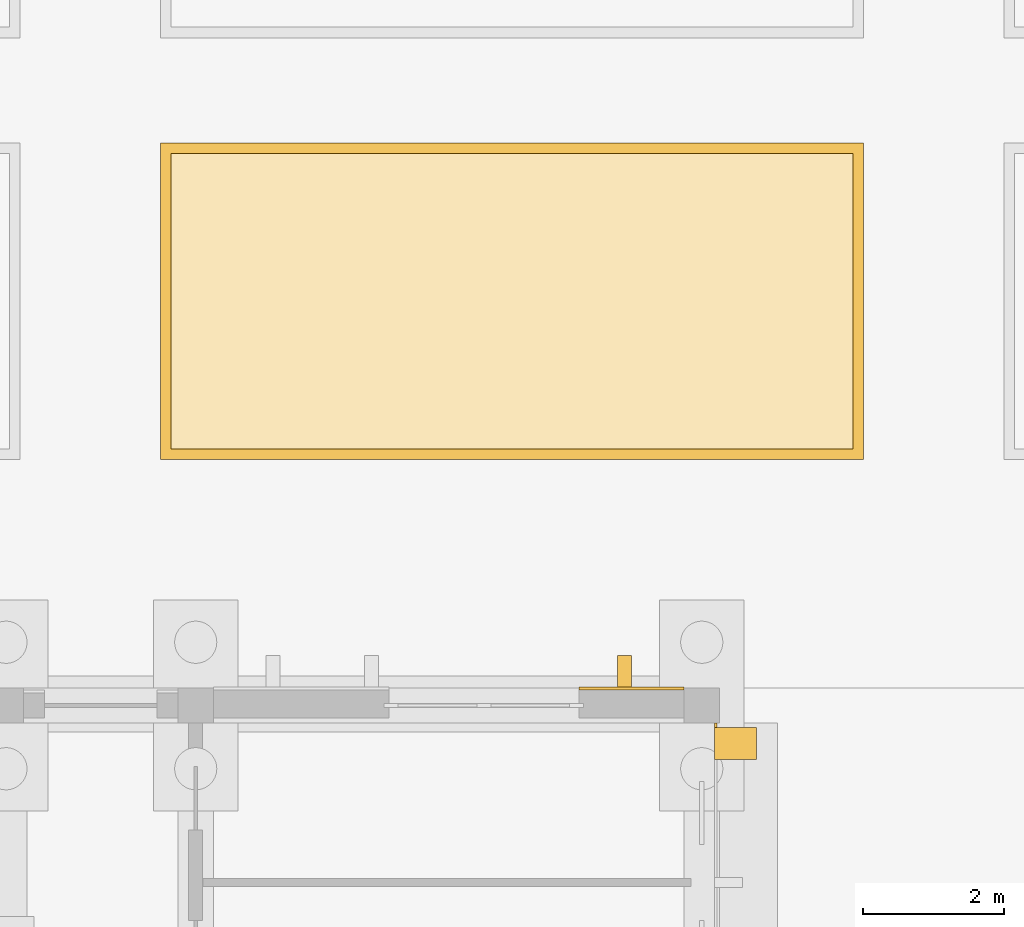
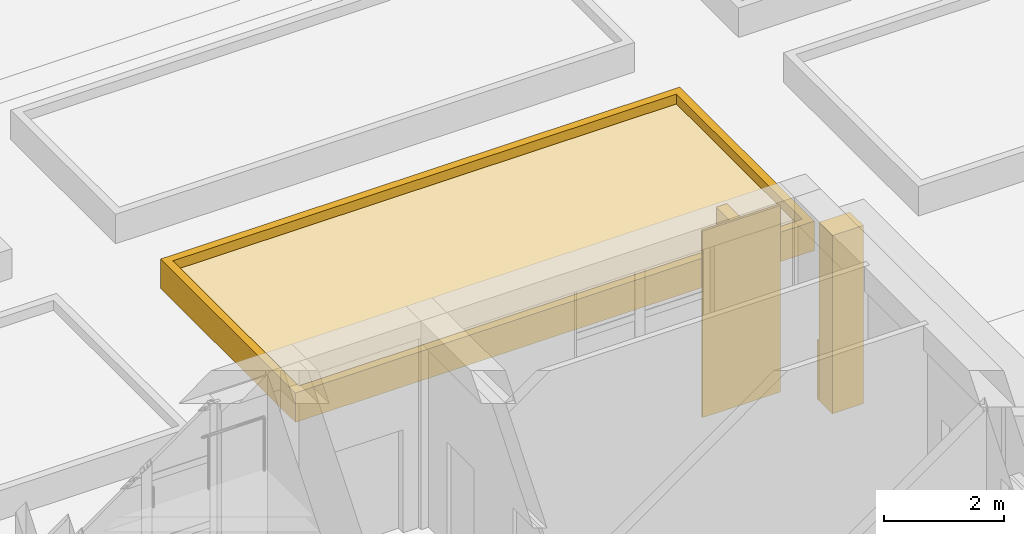
# One storey, part 118 of 161: 6 coverings.
"""IFC4 building model written with IfcOpenShell, lengths in metres."""

import ifcopenshell
import ifcopenshell.guid

model = None  # the IFC model being written
_history = None  # IfcOwnerHistory: only IFC2X3 demands one
_inside = {}  # id of a spatial element -> (the spatial element, [elements in it])
_under = {}  # id of a project, library or spatial element -> (it, [spatial elements below it])
_declared = {}  # id of a project -> (the project, [libraries it declares])
_typed = {}  # id of a type object -> (the type object, [elements of that type])
_made_of = {}  # id of a material, layer set ... -> (it, [elements and type objects made of it])


def new_model(schema):
    """Start an empty IFC model of exactly this schema.

    Asked for "IFC4X3", IfcOpenShell would pick the latest addendum, in which some entities
    have other attributes; the version numbers below select the first issue.
    IFC2X3 requires an IfcOwnerHistory on every rooted entity: one is made here for all.
    """
    global model, _history
    if schema == "IFC4X3":
        model = ifcopenshell.file(schema_version=(4, 3, 0, 0))
    else:
        model = ifcopenshell.file(schema=schema)
    _inside.clear()
    _under.clear()
    _declared.clear()
    _typed.clear()
    _made_of.clear()
    _history = None
    if model.schema == "IFC2X3":
        org = make("IfcOrganization", Name="unknown")
        user = make(
            "IfcPersonAndOrganization",
            ThePerson=make("IfcPerson", FamilyName="unknown"),
            TheOrganization=org,
        )
        app = make(
            "IfcApplication",
            ApplicationDeveloper=org,
            Version="unknown",
            ApplicationFullName="unknown",
            ApplicationIdentifier="unknown",
        )
        _history = make(
            "IfcOwnerHistory",
            OwningUser=user,
            OwningApplication=app,
            ChangeAction="ADDED",
            CreationDate=0,
        )
    return model


def make(cls, **values):
    """One entity of the class cls with the attributes given. An attribute that is None is left unset."""
    return model.create_entity(
        cls, **{name: value for name, value in values.items() if value is not None}
    )


def rooted(cls, **values):
    """An entity with a GlobalId (a new one), such as an element, a storey or a relation."""
    return make(cls, GlobalId=ifcopenshell.guid.new(), OwnerHistory=_history, **values)


def si_unit(unit_type, name, prefix=None):
    """IfcSIUnit, for example si_unit("LENGTHUNIT", "METRE", prefix="MILLI")."""
    return make("IfcSIUnit", UnitType=unit_type, Prefix=prefix, Name=name)


def assignment(units):
    """IfcUnitAssignment: the units of a project."""
    return None if units is None else make("IfcUnitAssignment", Units=units)


def point(xyz):
    """IfcCartesianPoint."""
    return None if xyz is None else make("IfcCartesianPoint", Coordinates=xyz)


def direction(xyz):
    """IfcDirection."""
    return None if xyz is None else make("IfcDirection", DirectionRatios=xyz)


def frame(location, z_axis=None, x_axis=None):
    """IfcAxis2Placement3D, a coordinate frame: its origin and axes. An axis left out is left unset."""
    return make(
        "IfcAxis2Placement3D",
        Location=point(location),
        Axis=direction(z_axis),
        RefDirection=direction(x_axis),
    )


def frame_2d(location, x_axis=None):
    """IfcAxis2Placement2D, a coordinate frame in the plane: its origin and x axis."""
    return make(
        "IfcAxis2Placement2D", Location=point(location), RefDirection=direction(x_axis)
    )


def origin():
    """The frame at (0, 0, 0) with its axes left unset."""
    return frame((0.0, 0.0, 0.0))


def origin_2d():
    """The frame at (0, 0) in the plane with its x axis left unset."""
    return frame_2d((0.0, 0.0))


def place(relative_to, where):
    """IfcLocalPlacement: puts the frame where relative to a parent placement (None: the world)."""
    return make(
        "IfcLocalPlacement", PlacementRelTo=relative_to, RelativePlacement=where
    )


def context(
    kind, dimensions, precision=None, world=None, true_north=None, identifier=None
):
    """IfcGeometricRepresentationContext, for example the 3D "Model" context."""
    return make(
        "IfcGeometricRepresentationContext",
        ContextIdentifier=identifier,
        ContextType=kind,
        CoordinateSpaceDimension=dimensions,
        Precision=precision,
        WorldCoordinateSystem=world,
        TrueNorth=true_north,
    )


def subcontext(parent, identifier, kind, view, scale=None):
    """IfcGeometricRepresentationSubContext, for example "Body" below "Model"."""
    return make(
        "IfcGeometricRepresentationSubContext",
        ContextIdentifier=identifier,
        ContextType=kind,
        ParentContext=parent,
        TargetScale=scale,
        TargetView=view,
    )


def project(units=None, contexts=None):
    """IfcProject with its units and contexts."""
    return rooted(
        "IfcProject",
        Name="project",
        RepresentationContexts=contexts,
        UnitsInContext=assignment(units),
    )


def spatial(cls, under=None, at=None, **own):
    """A site, building, storey or space (cls), placed at a placement, below another one or the project."""
    s = rooted(cls, ObjectPlacement=at, **own)
    if under is not None:
        _under.setdefault(under.id(), (under, []))[1].append(s)
    return s


def polyline(points):
    """IfcPolyline through the points."""
    return make("IfcPolyline", Points=[point(p) for p in points])


def profile(cls, at=None, kind="AREA", **sizes):
    """A parametric profile (cls). Its sizes go by their IFC names, for example OverallWidth=200.0."""
    return make(cls, ProfileType=kind, Position=at, **sizes)


def rectangle(**sizes):
    """IfcRectangleProfileDef."""
    return profile("IfcRectangleProfileDef", **sizes)


def outline(outer, holes=None, kind="AREA"):
    """IfcArbitraryClosedProfileDef: a profile drawn as a closed curve; with holes, ...WithVoids."""
    if holes is None:
        return make("IfcArbitraryClosedProfileDef", ProfileType=kind, OuterCurve=outer)
    return make(
        "IfcArbitraryProfileDefWithVoids",
        ProfileType=kind,
        OuterCurve=outer,
        InnerCurves=holes,
    )


def extrude(swept, where, along, depth):
    """IfcExtrudedAreaSolid: the profile swept, set in the frame where, extruded along a direction by depth."""
    return make(
        "IfcExtrudedAreaSolid",
        SweptArea=swept,
        Position=where,
        ExtrudedDirection=direction(along),
        Depth=depth,
    )


def shape(context_of_items, identifier, shape_type, items):
    """IfcShapeRepresentation: the items that make up one representation, for example the "Body"."""
    return make(
        "IfcShapeRepresentation",
        ContextOfItems=context_of_items,
        RepresentationIdentifier=identifier,
        RepresentationType=shape_type,
        Items=items,
    )


def material(Name=None, Category=None):
    """IfcMaterial."""
    return make("IfcMaterial", Name=Name, Category=Category)


def layer(
    of_material, thickness, ventilated=None, Name=None, Category=None, Priority=None
):
    """IfcMaterialLayer: one layer of a wall or slab, of a material (None: an air gap)."""
    return make(
        "IfcMaterialLayer",
        Material=of_material,
        LayerThickness=thickness,
        IsVentilated=ventilated,
        Name=Name,
        Category=Category,
        Priority=Priority,
    )


def layer_set(layers, Name=None):
    """IfcMaterialLayerSet."""
    return make("IfcMaterialLayerSet", MaterialLayers=layers, LayerSetName=Name)


def made_of(thing, what):
    """Note that an element or type object is made of a material, layer set ...; save() writes the relation."""
    if what is not None:
        _made_of.setdefault(what.id(), (what, []))[1].append(thing)
    return thing


def type_object(cls, material=None, **own):
    """A type object (cls), such as IfcWallType, which elements share."""
    return made_of(rooted(cls, **own), material)


def element(
    cls,
    number,
    at=None,
    inside=None,
    cuts=None,
    type_object=None,
    material=None,
    context=None,
    identifier="Body",
    shape_type=None,
    held_by="IfcProductDefinitionShape",
    body=None,
    shapes=None,
    **own,
):
    """One element of the class cls, such as IfcWall. Its Tag is "e" and its number.

    at: its placement. inside: the storey or other place that contains it. cuts: it is an
    opening in that element (IfcRelVoidsElement). A single representation is given by context,
    identifier, shape_type and body (its items); several are given by shapes. held_by: the class
    of the entity that holds the representations. save() writes the other relations.
    """
    e = rooted(cls, Tag="e%d" % number, ObjectPlacement=at, **own)
    if body is not None:
        shapes = [shape(context, identifier, shape_type, body)]
    if shapes is not None:
        e.Representation = make(held_by, Representations=shapes)
    if inside is not None:
        _inside.setdefault(inside.id(), (inside, []))[1].append(e)
    if cuts is not None:
        rooted(
            "IfcRelVoidsElement", RelatingBuildingElement=cuts, RelatedOpeningElement=e
        )
    if type_object is not None:
        _typed.setdefault(type_object.id(), (type_object, []))[1].append(e)
    return made_of(e, material)


def aggregate(whole, parts):
    """IfcRelAggregates: a whole, such as a stair, and the parts it consists of."""
    return rooted("IfcRelAggregates", RelatingObject=whole, RelatedObjects=parts)


def save(model, path):
    """Write the relations noted so far, then the file.

    IfcRelAggregates (storeys below a building ...), IfcRelContainedInSpatialStructure (elements
    in a storey), IfcRelDefinesByType, IfcRelAssociatesMaterial and IfcRelDeclares: one each for
    every whole, place, type object, material and project.
    """
    for whole, parts in _under.values():
        aggregate(whole, parts)
    for where, things in _inside.values():
        rooted(
            "IfcRelContainedInSpatialStructure",
            RelatedElements=things,
            RelatingStructure=where,
        )
    for kind, things in _typed.values():
        rooted("IfcRelDefinesByType", RelatedObjects=things, RelatingType=kind)
    for what, things in _made_of.values():
        rooted("IfcRelAssociatesMaterial", RelatedObjects=things, RelatingMaterial=what)
    for by, libraries in _declared.values():
        rooted("IfcRelDeclares", RelatingContext=by, RelatedDefinitions=libraries)
    model.write(path)


model = new_model("IFC4")

# Units and contexts
model_context = context("Model", 3, precision=1e-05, world=origin(), true_north=direction((0.0, 1.0)))
body_context = subcontext(model_context, "Body", "Model", "MODEL_VIEW")
ifc_project = project(units=[si_unit("LENGTHUNIT", "METRE"), si_unit("AREAUNIT", "SQUARE_METRE"), si_unit("VOLUMEUNIT", "CUBIC_METRE"), si_unit("PLANEANGLEUNIT", "RADIAN"), si_unit("MASSUNIT", "GRAM", prefix="KILO")], contexts=[model_context])

# Site, building, storey
site_placement = place(None, origin())
site = spatial("IfcSite", under=ifc_project, at=site_placement, CompositionType="ELEMENT")
building_placement = place(site_placement, origin())
building = spatial("IfcBuilding", under=site, at=building_placement, Name="Elbe Cascade School", CompositionType="ELEMENT")
storey_placement = place(building_placement, origin())
storey = spatial("IfcBuildingStorey", under=building, at=storey_placement, Name="L00", CompositionType="ELEMENT", Elevation=0.0)

# Coverings
ifc_material_1 = material(Name="Precast concrete C40/50", Category="concrete")
covering_type_1 = type_object("IfcCoveringType", Name="Bars envelope Precast concrete fin, 450 wide, 600 deep", PredefinedType="CLADDING", material=ifc_material_1)
covering_1_placement = place(storey_placement, frame((116.179931640625, 59.4599609375, 0.0), z_axis=(0.0, 0.0, 1.0), x_axis=(0.0, 1.0, 0.0)))
element("IfcCovering", 1, at=covering_1_placement, inside=storey, type_object=covering_type_1, Name="Fin CV55 B.L00.e6.3", PredefinedType="CLADDING", context=body_context, shape_type="SweptSolid", body=[
    extrude(rectangle(XDim=0.449951171875, YDim=0.60009765625, at=origin_2d()), origin(), (0.0, 0.0, 1.0), 3.6298828125),
])
ifc_material_2 = material(Name="Precast concrete C40/50", Category="concrete")
covering_type_2 = type_object("IfcCoveringType", Name="Bars envelope Precast concrete gable fin, 200 wide, 450 deep", PredefinedType="CLADDING", material=ifc_material_2)
covering_2_placement = place(storey_placement, frame((114.60009765625, 60.485107421875, 0.0), z_axis=(0.0, 0.0, 1.0), x_axis=(1.0, 0.0, 0.0)))
element("IfcCovering", 2, at=covering_2_placement, inside=storey, type_object=covering_type_2, Name="Fin CV57 B.L00.n.5", PredefinedType="CLADDING", context=body_context, shape_type="SweptSolid", body=[
    extrude(rectangle(XDim=0.199951171875, YDim=0.449951171875, at=origin_2d()), origin(), (0.0, 0.0, 1.0), 3.800048828125),
])
ifc_material_3 = material(Name="Sandstone - red", Category="masonry")
ifc_layer_1 = layer(ifc_material_3, 0.0400390625)
ifc_layer_set_1 = layer_set([ifc_layer_1], Name="Sandstone - red")
covering_type_3 = type_object("IfcCoveringType", Name="Bars envelope Sandstone cladding, red, 40 mm", PredefinedType="CLADDING", material=ifc_layer_set_1)
covering_3_placement = place(storey_placement, frame((115.89990234375, 59.717529296875, 0.0), z_axis=(0.0, 0.0, 1.0), x_axis=(0.0, 1.0, 0.0)))
element("IfcCovering", 3, at=covering_3_placement, inside=storey, type_object=covering_type_3, Name="Sandstone cladding CV48 B.L00.e.6.6", PredefinedType="CLADDING", context=body_context, shape_type="SweptSolid", body=[
    extrude(rectangle(XDim=0.06494140625, YDim=0.0400390625, at=origin_2d()), origin(), (0.0, 0.0, 1.0), 1.199951171875),
])
covering_4_placement = place(storey_placement, frame((114.699951171875, 60.239990234375, 0.0), z_axis=(0.0, 0.0, 1.0), x_axis=(1.0, 0.0, 0.0)))
element("IfcCovering", 4, at=covering_4_placement, inside=storey, type_object=covering_type_3, Name="Sandstone cladding CV48 B.L00.n.3b.1", PredefinedType="CLADDING", context=body_context, shape_type="SweptSolid", body=[
    extrude(rectangle(XDim=1.5, YDim=0.0400390625, at=origin_2d()), origin(), (0.0, 0.0, 1.0), 3.800048828125),
])
ifc_material_4 = material(Name="Planting - soil and shrubs", Category="soil")
ifc_layer_2 = layer(ifc_material_4, 0.39990234375)
ifc_layer_set_2 = layer_set([ifc_layer_2], Name="Planting - soil and shrubs")
covering_type_4 = type_object("IfcCoveringType", Name="Site planting bed 400", PredefinedType="USERDEFINED", material=ifc_layer_set_2)
covering_5_placement = place(storey_placement, origin())
element("IfcCovering", 5, at=covering_5_placement, inside=storey, type_object=covering_type_4, Name="Deck planting bed north a.4", ObjectType="PLANTING BED", PredefinedType="USERDEFINED", context=body_context, shape_type="SweptSolid", body=[
    extrude(outline(polyline([(108.14990234375, 63.64990234375), (117.85009765625, 63.64990234375), (117.85009765625, 67.85009765625), (108.14990234375, 67.85009765625), (108.14990234375, 63.64990234375)])), origin(), (0.0, 0.0, 1.0), 0.39990234375),
])
ifc_material_5 = material(Name="Concrete C30/37 precast kerb", Category="concrete")
ifc_layer_3 = layer(ifc_material_5, 0.14990234375)
ifc_layer_set_3 = layer_set([ifc_layer_3], Name="Concrete C30/37 precast kerb")
covering_type_5 = type_object("IfcCoveringType", Name="Site planting bed kerb 150x600", PredefinedType="CLADDING", material=ifc_layer_set_3)
covering_6_placement = place(storey_placement, origin())
element("IfcCovering", 6, at=covering_6_placement, inside=storey, type_object=covering_type_5, Name="Deck planting bed kerb north a.4", PredefinedType="CLADDING", context=body_context, shape_type="SweptSolid", body=[
    extrude(outline(polyline([(108.0, 63.5), (118.0, 63.5), (118.0, 68.0), (108.0, 68.0), (108.0, 63.5)]), holes=[polyline([(108.14990234375, 63.64990234375), (117.85009765625, 63.64990234375), (117.85009765625, 67.85009765625), (108.14990234375, 67.85009765625), (108.14990234375, 63.64990234375)])]), origin(), (0.0, 0.0, 1.0), 0.60009765625),
])

save(model, "model.ifc")
